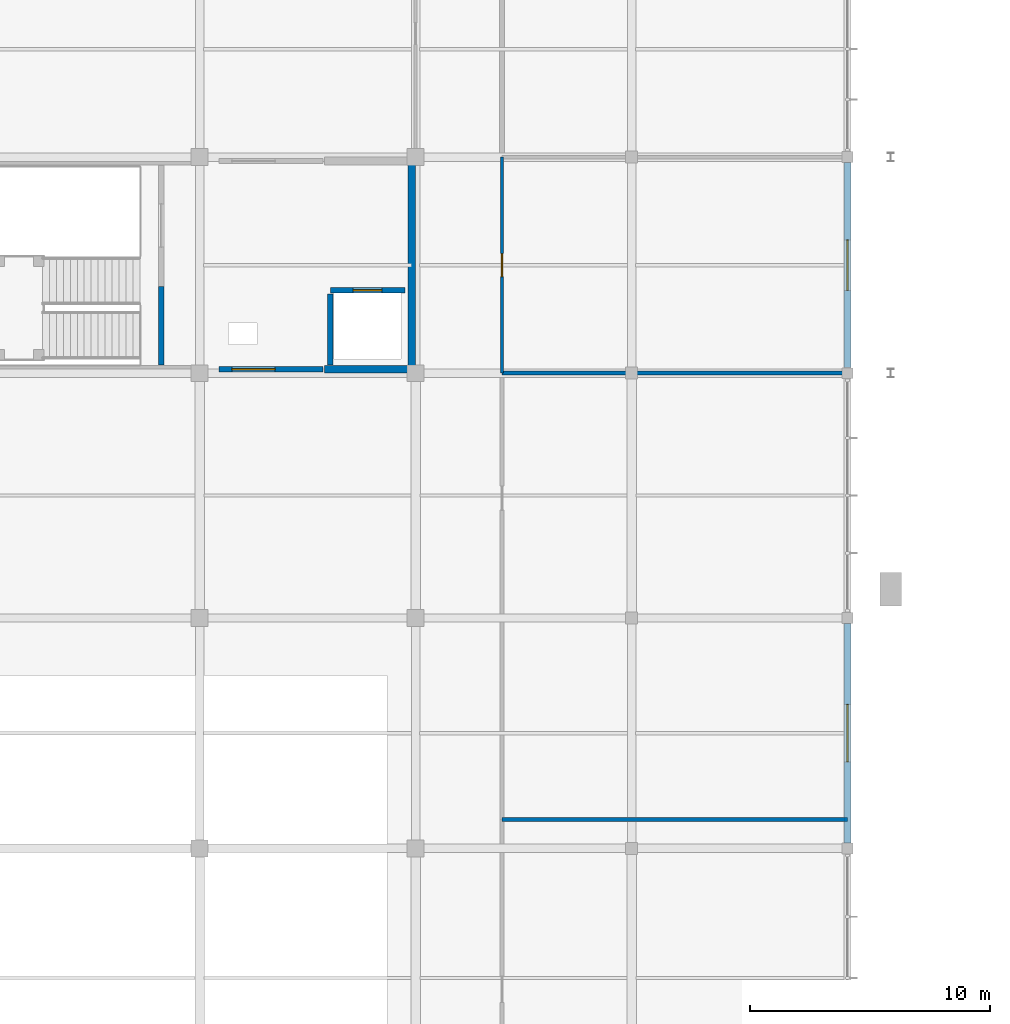
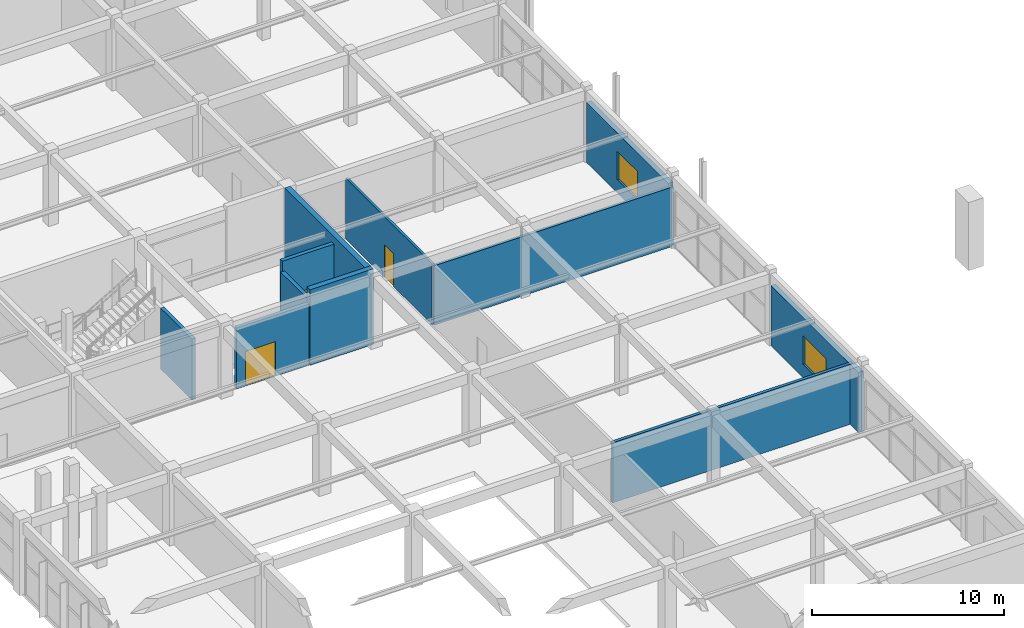
# One storey, part 49 of 74: 11 walls, 3 doors, 2 windows, 5 openings.
"""IFC4 building model written with IfcOpenShell, lengths in metres."""

from ifc_helpers import new_model, si_unit, direction, frame, frame_2d, origin, place, context, subcontext, project, spatial, rectangle, extrude, material, layer, layer_set, type_object, element, fill, save


model = new_model("IFC4")

# Units and contexts
model_context = context("Model", 3, precision=1e-05, world=origin(), true_north=direction((0.0, 1.0)))
body_context = subcontext(model_context, "Body", "Model", "MODEL_VIEW")
ifc_project = project(units=[si_unit("LENGTHUNIT", "METRE"), si_unit("AREAUNIT", "SQUARE_METRE"), si_unit("VOLUMEUNIT", "CUBIC_METRE"), si_unit("PLANEANGLEUNIT", "RADIAN"), si_unit("MASSUNIT", "GRAM", prefix="KILO")], contexts=[model_context])

# Site, building, storey
site_placement = place(None, origin())
site = spatial("IfcSite", under=ifc_project, at=site_placement, CompositionType="ELEMENT")
building_placement = place(site_placement, origin())
building = spatial("IfcBuilding", under=site, at=building_placement, Name="Suirenkawa Promenade Aquatics Centre", CompositionType="ELEMENT")
storey_placement = place(building_placement, frame((0.0, 0.0, 4.800048828125)))
storey = spatial("IfcBuildingStorey", under=building, at=storey_placement, Name="L01", CompositionType="ELEMENT", Elevation=4.800048828125)

# Walls
ifc_material_1 = material(Name="Concrete M40", Category="concrete")
ifc_layer_1 = layer(ifc_material_1, 0.320068359375, Name="Concrete M40", Category="concrete")
ifc_layer_set_1 = layer_set([ifc_layer_1], Name="Concrete M40")
wall_type_1 = type_object("IfcWallType", Name="WT-CORE-320", PredefinedType="SHEAR", material=ifc_layer_set_1)
wall_1_placement = place(storey_placement, frame((23.199951171875, 59.56005859375, 0.0), z_axis=(0.0, 0.0, 1.0), x_axis=(1.0, 0.0, 0.0)))
element("IfcWall", 1, at=wall_1_placement, inside=storey, type_object=wall_type_1, Name="C2 south shaft wall WL-CORE-01 W-0087", PredefinedType="SHEAR", context=body_context, shape_type="SweptSolid", body=[
    extrude(rectangle(XDim=3.800048828125, YDim=0.320068359375, at=frame_2d((1.89990234375, 0.0))), origin(), (0.0, 0.0, 1.0), 4.800048828125),
])
wall_2_placement = place(storey_placement, frame((26.840087890625, 59.719970703125, 0.0), z_axis=(0.0, 0.0, 1.0), x_axis=(0.0, 1.0, 0.0)))
element("IfcWall", 2, at=wall_2_placement, inside=storey, type_object=wall_type_1, Name="C2 east core wall WL-CORE-01 W-0091", PredefinedType="SHEAR", context=body_context, shape_type="SweptSolid", body=[
    extrude(rectangle(XDim=8.360107421875, YDim=0.320068359375, at=frame_2d((4.18017578125, 0.0))), origin(), (0.0, 0.0, 1.0), 4.800048828125),
])

# Wall, opening, window
ifc_layer_2 = layer(ifc_material_1, 0.2900390625, Name="Concrete M40", Category="concrete")
ifc_layer_set_2 = layer_set([ifc_layer_2], Name="Concrete M40")
wall_type_2 = type_object("IfcWallType", Name="WT-EXT-290", PredefinedType="SOLIDWALL", material=ifc_layer_set_2)
wall_3_placement = place(storey_placement, frame((45.0, 48.969970703125, 0.0), z_axis=(0.0, 0.0, 1.0), x_axis=(0.0, -1.0, 0.0)))
wall_3 = element("IfcWall", 3, at=wall_3_placement, inside=storey, type_object=wall_type_2, Name="Exterior wall WL-EXT-03 W-5105", PredefinedType="SOLIDWALL", context=body_context, shape_type="SweptSolid", body=[
    extrude(rectangle(XDim=9.139892578125, YDim=0.2900390625, at=frame_2d((4.56982421875, 0.0))), origin(), (0.0, 0.0, 1.0), 3.824951171875),
])
opening_1_placement = place(wall_3_placement, frame((3.3701171875, 0.0, 0.85009765625)))
opening_1 = element("IfcOpeningElement", 4, at=opening_1_placement, cuts=wall_3, Name="Opening WN-18", PredefinedType="OPENING", context=body_context, shape_type="SweptSolid", body=[
    extrude(rectangle(XDim=2.39990234375, YDim=1.800048828125, at=frame_2d((1.199951171875, 0.89990234375))), frame((0.0, 0.155029296875, 0.0), z_axis=(0.0, -1.0, 0.0), x_axis=(1.0, 0.0, 0.0)), (0.0, 0.0, 1.0), 0.31005859375),
])
ifc_material_2 = material(Name="Low-E thermally broken double glazing", Category="glass")
window_type_1 = type_object("IfcWindowType", Name="WNT-TALL-2400x1800", PartitioningType="SINGLE_PANEL", PredefinedType="WINDOW", material=ifc_material_2)
window_1_placement = place(opening_1_placement, origin())
window_1 = element("IfcWindow", 5, at=window_1_placement, inside=storey, type_object=window_type_1, Name="Window WN-18 WN-0047", OverallHeight=1.800048828125, OverallWidth=2.39990234375, PartitioningType="SINGLE_PANEL", PredefinedType="WINDOW", context=body_context, shape_type="SweptSolid", body=[
    extrude(rectangle(XDim=2.39990234375, YDim=1.800048828125, at=frame_2d((1.199951171875, 0.89990234375))), frame((0.0, 0.030029296875, 0.0), z_axis=(0.0, -1.0, 0.0), x_axis=(1.0, 0.0, 0.0)), (0.0, 0.0, 1.0), 0.06005859375),
])
fill(opening_1, window_1)

wall_4_placement = place(storey_placement, frame((45.0, 68.169921875, 0.0), z_axis=(0.0, 0.0, 1.0), x_axis=(0.0, -1.0, 0.0)))
wall_4 = element("IfcWall", 6, at=wall_4_placement, inside=storey, type_object=wall_type_2, Name="Exterior wall WL-EXT-03 W-5106", PredefinedType="SOLIDWALL", context=body_context, shape_type="SweptSolid", body=[
    extrude(rectangle(XDim=8.5400390625, YDim=0.2900390625, at=frame_2d((4.27001953125, 0.0))), origin(), (0.0, 0.0, 1.0), 3.824951171875),
])
opening_2_placement = place(wall_4_placement, frame((3.219970703125, 0.0, 0.85009765625)))
opening_2 = element("IfcOpeningElement", 7, at=opening_2_placement, cuts=wall_4, Name="Opening WN-19", PredefinedType="OPENING", context=body_context, shape_type="SweptSolid", body=[
    extrude(rectangle(XDim=2.10009765625, YDim=1.800048828125, at=frame_2d((1.050048828125, 0.89990234375))), frame((0.0, 0.155029296875, 0.0), z_axis=(0.0, -1.0, 0.0), x_axis=(1.0, 0.0, 0.0)), (0.0, 0.0, 1.0), 0.31005859375),
])
window_type_2 = type_object("IfcWindowType", Name="WNT-TALL-2100x1800", PartitioningType="SINGLE_PANEL", PredefinedType="WINDOW", material=ifc_material_2)
window_2_placement = place(opening_2_placement, origin())
window_2 = element("IfcWindow", 8, at=window_2_placement, inside=storey, type_object=window_type_2, Name="Window WN-19 WN-0048", OverallHeight=1.800048828125, OverallWidth=2.10009765625, PartitioningType="SINGLE_PANEL", PredefinedType="WINDOW", context=body_context, shape_type="SweptSolid", body=[
    extrude(rectangle(XDim=2.10009765625, YDim=1.800048828125, at=frame_2d((1.050048828125, 0.89990234375))), frame((0.0, 0.030029296875, 0.0), z_axis=(0.0, -1.0, 0.0), x_axis=(1.0, 0.0, 0.0)), (0.0, 0.0, 1.0), 0.06005859375),
])
fill(opening_2, window_2)

# Walls
ifc_material_3 = material(Name="Autoclaved aerated concrete blockwork Grade 1", Category="masonry")
ifc_layer_3 = layer(ifc_material_3, 0.179931640625, Name="Autoclaved aerated concrete blockwork Grade 1", Category="masonry")
ifc_layer_set_3 = layer_set([ifc_layer_3], Name="Autoclaved aerated concrete blockwork Grade 1")
wall_type_3 = type_object("IfcWallType", Name="WT-FIRE-180", PredefinedType="PARTITIONING", material=ifc_layer_set_3)
wall_5_placement = place(storey_placement, frame((30.60009765625, 40.800048828125, 0.0), z_axis=(0.0, 0.0, 1.0), x_axis=(1.0, 0.0, 0.0)))
element("IfcWall", 9, at=wall_5_placement, inside=storey, type_object=wall_type_3, Name="Interior wall WL-PRT-02 W-7243", PredefinedType="PARTITIONING", context=body_context, shape_type="SweptSolid", body=[
    extrude(rectangle(XDim=14.39990234375, YDim=0.179931640625, at=frame_2d((7.199951171875, 0.0))), origin(), (0.0, 0.0, 1.0), 3.824951171875),
])
ifc_material_4 = material(Name="Concrete M35", Category="concrete")
ifc_layer_4 = layer(ifc_material_4, 0.219970703125, Name="Concrete M35", Category="concrete")
ifc_layer_set_4 = layer_set([ifc_layer_4], Name="Concrete M35")
wall_type_4 = type_object("IfcWallType", Name="WT-LOBBY-220", PredefinedType="PARTITIONING", material=ifc_layer_set_4)
wall_6_placement = place(storey_placement, frame((16.39990234375, 59.75, 0.0), z_axis=(0.0, 0.0, 1.0), x_axis=(0.0, 1.0, 0.0)))
element("IfcWall", 10, at=wall_6_placement, inside=storey, type_object=wall_type_4, Name="Interior wall WL-LOB-01 W-7049", PredefinedType="PARTITIONING", context=body_context, shape_type="SweptSolid", body=[
    extrude(rectangle(XDim=3.25, YDim=0.219970703125, at=frame_2d((1.625, 0.0))), origin(), (0.0, 0.0, 1.0), 3.875),
])

# Wall, opening, door
wall_7_placement = place(storey_placement, frame((18.800048828125, 59.56005859375, 0.0), z_axis=(0.0, 0.0, 1.0), x_axis=(1.0, 0.0, 0.0)))
wall_7 = element("IfcWall", 11, at=wall_7_placement, inside=storey, type_object=wall_type_4, Name="Interior wall WL-LOB-01 W-7052", PredefinedType="PARTITIONING", context=body_context, shape_type="SweptSolid", body=[
    extrude(rectangle(XDim=4.349853515625, YDim=0.219970703125, at=frame_2d((2.1748046875, 0.0))), origin(), (0.0, 0.0, 1.0), 3.875),
])
opening_3_placement = place(wall_7_placement, frame((0.550048828125, 0.0, 0.0)))
opening_3 = element("IfcOpeningElement", 12, at=opening_3_placement, cuts=wall_7, Name="Opening ID-02", PredefinedType="OPENING", context=body_context, shape_type="SweptSolid", body=[
    extrude(rectangle(XDim=1.800048828125, YDim=2.199951171875, at=frame_2d((0.89990234375, 1.10009765625))), frame((0.0, 0.119873046875, 0.0), z_axis=(0.0, -1.0, 0.0), x_axis=(1.0, 0.0, 0.0)), (0.0, 0.0, 1.0), 0.239990234375),
])
ifc_material_5 = material(Name="Steel IS 2062 E350 (Grade 350)", Category="steel")
door_type_1 = type_object("IfcDoorType", Name="DT-FD120-1800x2200", OperationType="DOUBLE_DOOR_SINGLE_SWING", PredefinedType="DOOR", material=ifc_material_5)
door_1_placement = place(opening_3_placement, origin())
door_1 = element("IfcDoor", 13, at=door_1_placement, inside=storey, type_object=door_type_1, Name="Interior door ID-02 DR-INT-0034", OperationType="DOUBLE_DOOR_SINGLE_SWING", OverallHeight=2.199951171875, OverallWidth=1.800048828125, PredefinedType="DOOR", context=body_context, shape_type="SweptSolid", body=[
    extrude(rectangle(XDim=1.800048828125, YDim=2.199951171875, at=frame_2d((0.89990234375, 1.10009765625))), frame((0.0, 0.02490234375, 0.0), z_axis=(0.0, -1.0, 0.0), x_axis=(1.0, 0.0, 0.0)), (0.0, 0.0, 1.0), 0.050048828125),
])
fill(opening_3, door_1)

ifc_layer_5 = layer(ifc_material_1, 0.239990234375, Name="Concrete M40", Category="concrete")
ifc_layer_set_5 = layer_set([ifc_layer_5], Name="Concrete M40")
wall_type_5 = type_object("IfcWallType", Name="WT-SHAFT-240", PredefinedType="SOLIDWALL", material=ifc_layer_set_5)
wall_8_placement = place(storey_placement, frame((23.449951171875, 62.85009765625, 0.0), z_axis=(0.0, 0.0, 1.0), x_axis=(1.0, 0.0, 0.0)))
wall_8 = element("IfcWall", 14, at=wall_8_placement, inside=storey, type_object=wall_type_5, Name="Interior wall WL-SHF-01 W-7050", PredefinedType="SOLIDWALL", context=body_context, shape_type="SweptSolid", body=[
    extrude(rectangle(XDim=3.10009765625, YDim=0.239990234375, at=frame_2d((1.550048828125, 0.0))), origin(), (0.0, 0.0, 1.0), 4.5048828125),
])
opening_4_placement = place(wall_8_placement, frame((0.949951171875, 0.0, 0.0)))
opening_4 = element("IfcOpeningElement", 15, at=opening_4_placement, cuts=wall_8, Name="Opening LD-02", PredefinedType="OPENING", context=body_context, shape_type="SweptSolid", body=[
    extrude(rectangle(XDim=1.199951171875, YDim=2.199951171875, at=frame_2d((0.60009765625, 1.10009765625))), frame((0.0, 0.1298828125, 0.0), z_axis=(0.0, -1.0, 0.0), x_axis=(1.0, 0.0, 0.0)), (0.0, 0.0, 1.0), 0.260009765625),
])
ifc_material_6 = material(Name="Marine-grade stainless steel Grade 316L", Category="steel")
door_type_2 = type_object("IfcDoorType", Name="DT-LIFT-1200x2200", OperationType="DOUBLE_DOOR_SLIDING", PredefinedType="DOOR", material=ifc_material_6)
door_2_placement = place(opening_4_placement, origin())
door_2 = element("IfcDoor", 16, at=door_2_placement, inside=storey, type_object=door_type_2, Name="Landing door LD-02 DR-INT-0033", OperationType="DOUBLE_DOOR_SLIDING", OverallHeight=2.199951171875, OverallWidth=1.199951171875, PredefinedType="DOOR", context=body_context, shape_type="SweptSolid", body=[
    extrude(rectangle(XDim=1.199951171875, YDim=2.199951171875, at=frame_2d((0.60009765625, 1.10009765625))), frame((0.0, 0.02490234375, 0.0), z_axis=(0.0, -1.0, 0.0), x_axis=(1.0, 0.0, 0.0)), (0.0, 0.0, 1.0), 0.050048828125),
])
fill(opening_4, door_2)

# Wall
wall_9_placement = place(storey_placement, frame((23.449951171875, 59.75, 0.0), z_axis=(0.0, 0.0, 1.0), x_axis=(0.0, 1.0, 0.0)))
element("IfcWall", 17, at=wall_9_placement, inside=storey, type_object=wall_type_5, Name="Interior wall WL-SHF-01 W-7051", PredefinedType="SOLIDWALL", context=body_context, shape_type="SweptSolid", body=[
    extrude(rectangle(XDim=2.949951171875, YDim=0.239990234375, at=frame_2d((1.47509765625, 0.0))), origin(), (0.0, 0.0, 1.0), 3.875),
])

# Wall, opening, door
ifc_material_7 = material(Name="Moisture-resistant acoustic gypsum board")
ifc_layer_6 = layer(ifc_material_7, 0.139892578125, Name="Moisture-resistant acoustic gypsum board")
ifc_layer_set_6 = layer_set([ifc_layer_6], Name="Moisture-resistant acoustic gypsum board")
wall_type_6 = type_object("IfcWallType", Name="WT-STD-140", PredefinedType="PARTITIONING", material=ifc_layer_set_6)
wall_10_placement = place(storey_placement, frame((30.60009765625, 59.39990234375, 0.0), z_axis=(0.0, 0.0, 1.0), x_axis=(0.0, 1.0, 0.0)))
wall_10 = element("IfcWall", 18, at=wall_10_placement, inside=storey, type_object=wall_type_6, Name="Interior wall WL-PRT-04 W-7246", PredefinedType="PARTITIONING", context=body_context, shape_type="SweptSolid", body=[
    extrude(rectangle(XDim=9.0, YDim=0.139892578125, at=frame_2d((4.5, 0.0))), origin(), (0.0, 0.0, 1.0), 3.875),
])
opening_5_placement = place(wall_10_placement, frame((4.02490234375, 0.0, 0.0)))
opening_5 = element("IfcOpeningElement", 19, at=opening_5_placement, cuts=wall_10, Name="Opening ID-11", PredefinedType="OPENING", context=body_context, shape_type="SweptSolid", body=[
    extrude(rectangle(XDim=0.949951171875, YDim=2.10009765625, at=frame_2d((0.47509765625, 1.050048828125))), frame((0.0, 0.079833984375, 0.0), z_axis=(0.0, -1.0, 0.0), x_axis=(1.0, 0.0, 0.0)), (0.0, 0.0, 1.0), 0.159912109375),
])
ifc_material_8 = material(Name="Engineered maple acoustic sports timber", Category="wood")
door_type_3 = type_object("IfcDoorType", Name="DT-STD-950x2100", OperationType="NOTDEFINED", PredefinedType="DOOR", material=ifc_material_8)
door_3_placement = place(opening_5_placement, origin())
door_3 = element("IfcDoor", 20, at=door_3_placement, inside=storey, type_object=door_type_3, Name="Interior door ID-11 DR-INT-0149", OperationType="SINGLE_SWING_LEFT", OverallHeight=2.10009765625, OverallWidth=0.949951171875, PredefinedType="DOOR", context=body_context, shape_type="SweptSolid", body=[
    extrude(rectangle(XDim=0.949951171875, YDim=2.10009765625, at=frame_2d((0.47509765625, 1.050048828125))), frame((0.0, 0.02490234375, 0.0), z_axis=(0.0, -1.0, 0.0), x_axis=(1.0, 0.0, 0.0)), (0.0, 0.0, 1.0), 0.050048828125),
])
fill(opening_5, door_3)

# Wall
ifc_layer_7 = layer(ifc_material_3, 0.159912109375, Name="Autoclaved aerated concrete blockwork Grade 1", Category="masonry")
ifc_layer_set_7 = layer_set([ifc_layer_7], Name="Autoclaved aerated concrete blockwork Grade 1")
wall_type_7 = type_object("IfcWallType", Name="WT-WET-160", PredefinedType="PARTITIONING", material=ifc_layer_set_7)
wall_11_placement = place(storey_placement, frame((30.60009765625, 59.39990234375, 0.0), z_axis=(0.0, 0.0, 1.0), x_axis=(1.0, 0.0, 0.0)))
element("IfcWall", 21, at=wall_11_placement, inside=storey, type_object=wall_type_7, Name="Interior wall WL-PRT-03 W-7245", PredefinedType="PARTITIONING", context=body_context, shape_type="SweptSolid", body=[
    extrude(rectangle(XDim=14.39990234375, YDim=0.159912109375, at=frame_2d((7.199951171875, 0.0))), origin(), (0.0, 0.0, 1.0), 3.77490234375),
])

save(model, "model.ifc")
